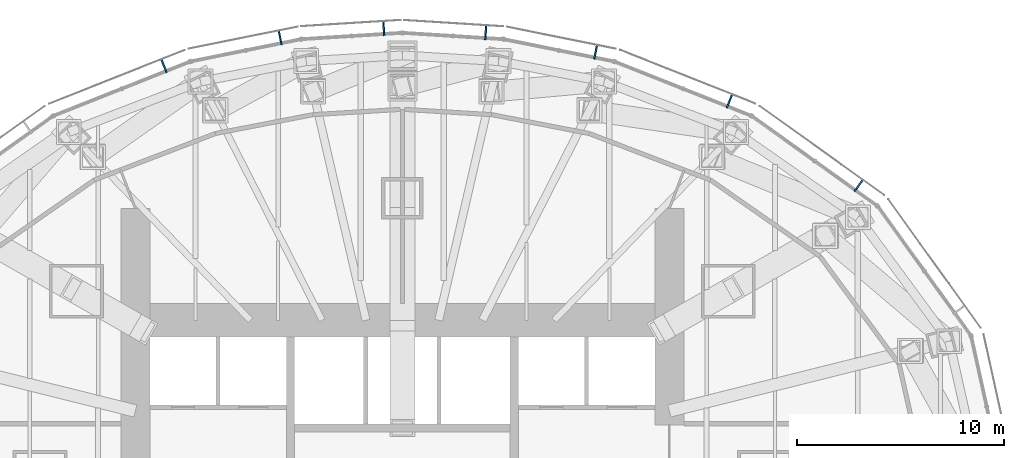
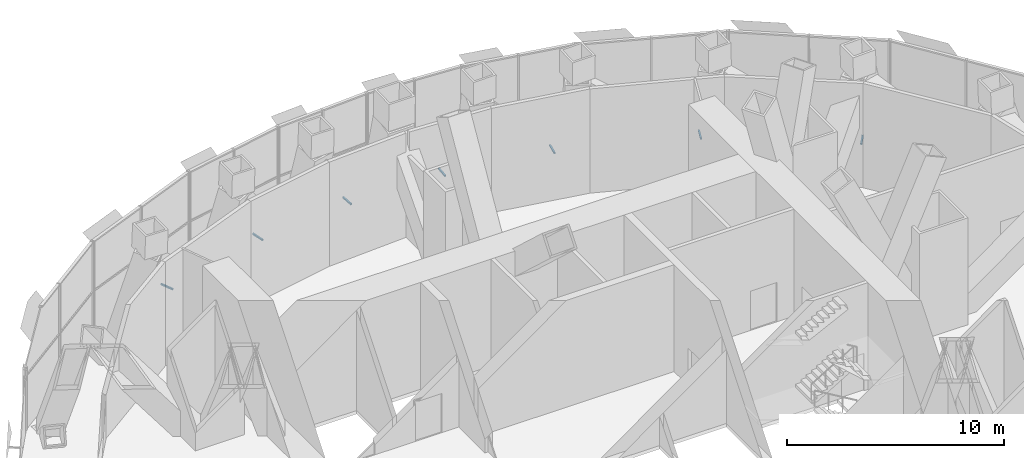
# One storey, part 15 of 19: 7 discrete accessories.
"""IFC4 building model written with IfcOpenShell, lengths in metres."""

import ifcopenshell
import ifcopenshell.guid

model = None  # the IFC model being written
_history = None  # IfcOwnerHistory: only IFC2X3 demands one
_inside = {}  # id of a spatial element -> (the spatial element, [elements in it])
_under = {}  # id of a project, library or spatial element -> (it, [spatial elements below it])
_declared = {}  # id of a project -> (the project, [libraries it declares])
_typed = {}  # id of a type object -> (the type object, [elements of that type])
_made_of = {}  # id of a material, layer set ... -> (it, [elements and type objects made of it])


def new_model(schema):
    """Start an empty IFC model of exactly this schema.

    Asked for "IFC4X3", IfcOpenShell would pick the latest addendum, in which some entities
    have other attributes; the version numbers below select the first issue.
    IFC2X3 requires an IfcOwnerHistory on every rooted entity: one is made here for all.
    """
    global model, _history
    if schema == "IFC4X3":
        model = ifcopenshell.file(schema_version=(4, 3, 0, 0))
    else:
        model = ifcopenshell.file(schema=schema)
    _inside.clear()
    _under.clear()
    _declared.clear()
    _typed.clear()
    _made_of.clear()
    _history = None
    if model.schema == "IFC2X3":
        org = make("IfcOrganization", Name="unknown")
        user = make(
            "IfcPersonAndOrganization",
            ThePerson=make("IfcPerson", FamilyName="unknown"),
            TheOrganization=org,
        )
        app = make(
            "IfcApplication",
            ApplicationDeveloper=org,
            Version="unknown",
            ApplicationFullName="unknown",
            ApplicationIdentifier="unknown",
        )
        _history = make(
            "IfcOwnerHistory",
            OwningUser=user,
            OwningApplication=app,
            ChangeAction="ADDED",
            CreationDate=0,
        )
    return model


def make(cls, **values):
    """One entity of the class cls with the attributes given. An attribute that is None is left unset."""
    return model.create_entity(
        cls, **{name: value for name, value in values.items() if value is not None}
    )


def rooted(cls, **values):
    """An entity with a GlobalId (a new one), such as an element, a storey or a relation."""
    return make(cls, GlobalId=ifcopenshell.guid.new(), OwnerHistory=_history, **values)


def si_unit(unit_type, name, prefix=None):
    """IfcSIUnit, for example si_unit("LENGTHUNIT", "METRE", prefix="MILLI")."""
    return make("IfcSIUnit", UnitType=unit_type, Prefix=prefix, Name=name)


def assignment(units):
    """IfcUnitAssignment: the units of a project."""
    return None if units is None else make("IfcUnitAssignment", Units=units)


def point(xyz):
    """IfcCartesianPoint."""
    return None if xyz is None else make("IfcCartesianPoint", Coordinates=xyz)


def direction(xyz):
    """IfcDirection."""
    return None if xyz is None else make("IfcDirection", DirectionRatios=xyz)


def frame(location, z_axis=None, x_axis=None):
    """IfcAxis2Placement3D, a coordinate frame: its origin and axes. An axis left out is left unset."""
    return make(
        "IfcAxis2Placement3D",
        Location=point(location),
        Axis=direction(z_axis),
        RefDirection=direction(x_axis),
    )


def frame_2d(location, x_axis=None):
    """IfcAxis2Placement2D, a coordinate frame in the plane: its origin and x axis."""
    return make(
        "IfcAxis2Placement2D", Location=point(location), RefDirection=direction(x_axis)
    )


def origin():
    """The frame at (0, 0, 0) with its axes left unset."""
    return frame((0.0, 0.0, 0.0))


def origin_2d():
    """The frame at (0, 0) in the plane with its x axis left unset."""
    return frame_2d((0.0, 0.0))


def place(relative_to, where):
    """IfcLocalPlacement: puts the frame where relative to a parent placement (None: the world)."""
    return make(
        "IfcLocalPlacement", PlacementRelTo=relative_to, RelativePlacement=where
    )


def context(
    kind, dimensions, precision=None, world=None, true_north=None, identifier=None
):
    """IfcGeometricRepresentationContext, for example the 3D "Model" context."""
    return make(
        "IfcGeometricRepresentationContext",
        ContextIdentifier=identifier,
        ContextType=kind,
        CoordinateSpaceDimension=dimensions,
        Precision=precision,
        WorldCoordinateSystem=world,
        TrueNorth=true_north,
    )


def subcontext(parent, identifier, kind, view, scale=None):
    """IfcGeometricRepresentationSubContext, for example "Body" below "Model"."""
    return make(
        "IfcGeometricRepresentationSubContext",
        ContextIdentifier=identifier,
        ContextType=kind,
        ParentContext=parent,
        TargetScale=scale,
        TargetView=view,
    )


def project(units=None, contexts=None):
    """IfcProject with its units and contexts."""
    return rooted(
        "IfcProject",
        Name="project",
        RepresentationContexts=contexts,
        UnitsInContext=assignment(units),
    )


def spatial(cls, under=None, at=None, **own):
    """A site, building, storey or space (cls), placed at a placement, below another one or the project."""
    s = rooted(cls, ObjectPlacement=at, **own)
    if under is not None:
        _under.setdefault(under.id(), (under, []))[1].append(s)
    return s


def profile(cls, at=None, kind="AREA", **sizes):
    """A parametric profile (cls). Its sizes go by their IFC names, for example OverallWidth=200.0."""
    return make(cls, ProfileType=kind, Position=at, **sizes)


def rectangle(**sizes):
    """IfcRectangleProfileDef."""
    return profile("IfcRectangleProfileDef", **sizes)


def extrude(swept, where, along, depth):
    """IfcExtrudedAreaSolid: the profile swept, set in the frame where, extruded along a direction by depth."""
    return make(
        "IfcExtrudedAreaSolid",
        SweptArea=swept,
        Position=where,
        ExtrudedDirection=direction(along),
        Depth=depth,
    )


def shape(context_of_items, identifier, shape_type, items):
    """IfcShapeRepresentation: the items that make up one representation, for example the "Body"."""
    return make(
        "IfcShapeRepresentation",
        ContextOfItems=context_of_items,
        RepresentationIdentifier=identifier,
        RepresentationType=shape_type,
        Items=items,
    )


def made_of(thing, what):
    """Note that an element or type object is made of a material, layer set ...; save() writes the relation."""
    if what is not None:
        _made_of.setdefault(what.id(), (what, []))[1].append(thing)
    return thing


def element(
    cls,
    number,
    at=None,
    inside=None,
    cuts=None,
    type_object=None,
    material=None,
    context=None,
    identifier="Body",
    shape_type=None,
    held_by="IfcProductDefinitionShape",
    body=None,
    shapes=None,
    **own,
):
    """One element of the class cls, such as IfcWall. Its Tag is "e" and its number.

    at: its placement. inside: the storey or other place that contains it. cuts: it is an
    opening in that element (IfcRelVoidsElement). A single representation is given by context,
    identifier, shape_type and body (its items); several are given by shapes. held_by: the class
    of the entity that holds the representations. save() writes the other relations.
    """
    e = rooted(cls, Tag="e%d" % number, ObjectPlacement=at, **own)
    if body is not None:
        shapes = [shape(context, identifier, shape_type, body)]
    if shapes is not None:
        e.Representation = make(held_by, Representations=shapes)
    if inside is not None:
        _inside.setdefault(inside.id(), (inside, []))[1].append(e)
    if cuts is not None:
        rooted(
            "IfcRelVoidsElement", RelatingBuildingElement=cuts, RelatedOpeningElement=e
        )
    if type_object is not None:
        _typed.setdefault(type_object.id(), (type_object, []))[1].append(e)
    return made_of(e, material)


def aggregate(whole, parts):
    """IfcRelAggregates: a whole, such as a stair, and the parts it consists of."""
    return rooted("IfcRelAggregates", RelatingObject=whole, RelatedObjects=parts)


def save(model, path):
    """Write the relations noted so far, then the file.

    IfcRelAggregates (storeys below a building ...), IfcRelContainedInSpatialStructure (elements
    in a storey), IfcRelDefinesByType, IfcRelAssociatesMaterial and IfcRelDeclares: one each for
    every whole, place, type object, material and project.
    """
    for whole, parts in _under.values():
        aggregate(whole, parts)
    for where, things in _inside.values():
        rooted(
            "IfcRelContainedInSpatialStructure",
            RelatedElements=things,
            RelatingStructure=where,
        )
    for kind, things in _typed.values():
        rooted("IfcRelDefinesByType", RelatedObjects=things, RelatingType=kind)
    for what, things in _made_of.values():
        rooted("IfcRelAssociatesMaterial", RelatedObjects=things, RelatingMaterial=what)
    for by, libraries in _declared.values():
        rooted("IfcRelDeclares", RelatingContext=by, RelatedDefinitions=libraries)
    model.write(path)


model = new_model("IFC4")

# Units and contexts
model_context = context("Model", 3, precision=1e-05, world=origin(), true_north=direction((0.0, 1.0)))
body_context = subcontext(model_context, "Body", "Model", "MODEL_VIEW")
ifc_project = project(units=[si_unit("LENGTHUNIT", "METRE"), si_unit("AREAUNIT", "SQUARE_METRE"), si_unit("VOLUMEUNIT", "CUBIC_METRE"), si_unit("PLANEANGLEUNIT", "RADIAN"), si_unit("MASSUNIT", "GRAM", prefix="KILO")], contexts=[model_context])

# Site, building, storey
site_placement = place(None, origin())
site = spatial("IfcSite", under=ifc_project, at=site_placement, CompositionType="ELEMENT")
building_placement = place(site_placement, origin())
building = spatial("IfcBuilding", under=site, at=building_placement, Name="Lantaw Convention Tower", CompositionType="ELEMENT")
storey_placement = place(building_placement, frame((0.0, 0.0, 193.0)))
storey = spatial("IfcBuildingStorey", under=building, at=storey_placement, Name="L45", CompositionType="ELEMENT", Elevation=193.0)

# Discrete accessories
for number, where, z_axis, x_axis, name in (
    (1, (22.044189453125, 14.10546875, -0.14013671875), (0.0, 0.0, 1.0), (-0.813208325995, 0.581972695693, 0.0), "Screen bracket"),
    (2, (15.802978515625, 18.18798828125, -0.14013671875), (0.0, 0.0, 1.0), (-0.929547687544, 0.368701907483, 0.0), "Screen bracket"),
    (3, (9.339599609375, 20.56005859375, -0.14013671875), (0.0, 0.0, 1.0), (-0.980301514912, 0.197506809659, 0.0), "Screen bracket"),
    (4, (4.027099609375, 21.505859375, -0.14013671875), (0.0, 0.0, 1.0), (-0.998022035978, 0.062865059466, 0.0), "Screen bracket"),
    (5, (-0.89794921875, 21.702880859375, -0.14013671875), (0.0, 0.0, 1.0), (-0.998022035978, -0.062865059466, 0.0), "Screen bracket"),
    (6, (-5.903076171875, 21.25244140625, -0.14013671875), (0.0, 0.0, 1.0), (-0.980301514912, -0.197506809659, 0.0), "Screen bracket"),
    (7, (-11.517822265625, 19.887939453125, -0.14013671875), (0.0, 0.0, 1.0), (-0.929547687544, -0.368701907483, 0.0), "Screen bracket"),
):
    element("IfcDiscreteAccessory", number, at=place(storey_placement, frame(where, z_axis=z_axis, x_axis=x_axis)), inside=storey, Name=name, PredefinedType="BRACKET", context=body_context, shape_type="SweptSolid", body=[
        extrude(rectangle(XDim=0.080078125, YDim=0.68798828125, at=origin_2d()), origin(), (0.0, 0.0, 1.0), 0.080078125),
    ])

save(model, "model.ifc")
